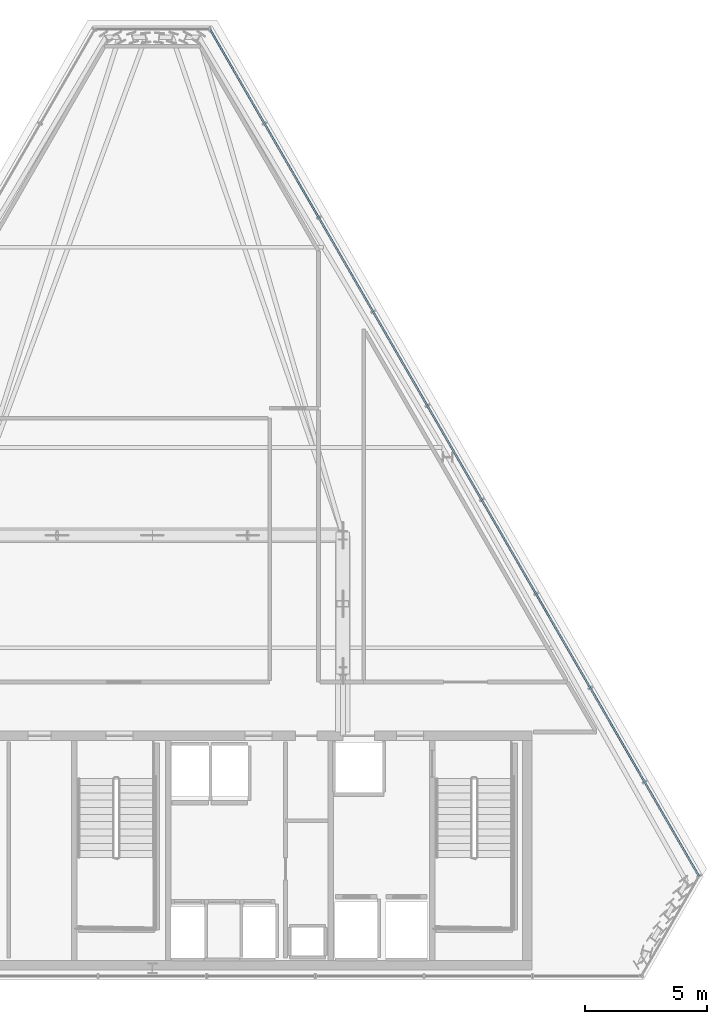
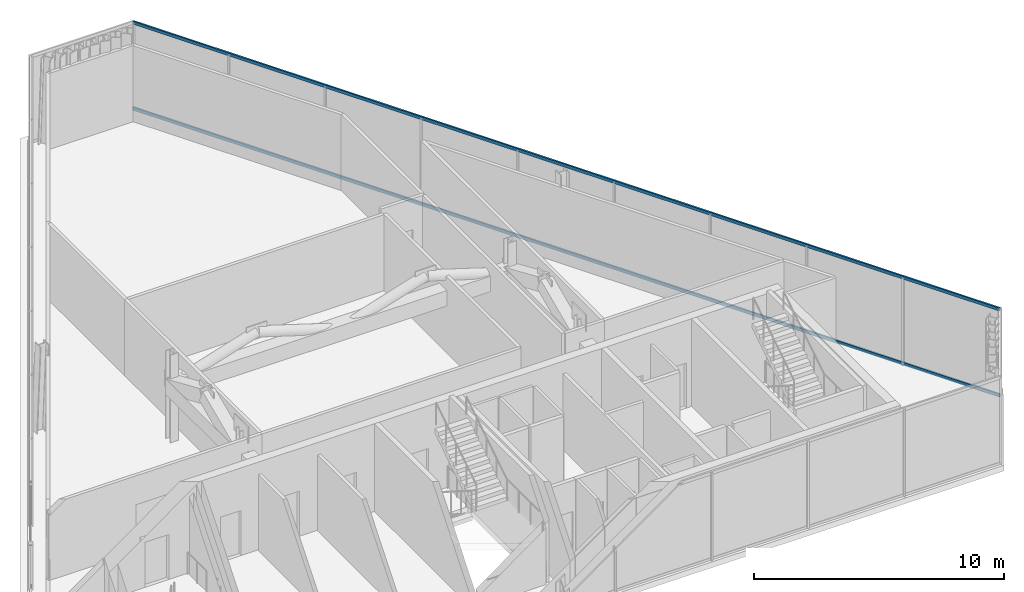
# One storey, part 24 of 32: 2 members, 1 element without a shape of its own.
"""IFC4 building model written with IfcOpenShell, lengths in metres."""

from ifc_helpers import new_model, si_unit, direction, frame, origin, origin_2d, place, context, subcontext, project, spatial, hollow_rectangle, extrude, material, layer, layer_set, material_profile, profile_set, type_object, element, aggregate, save


model = new_model("IFC4")

# Units and contexts
model_context = context("Model", 3, precision=1e-05, world=origin(), true_north=direction((0.0, 1.0)))
body_context = subcontext(model_context, "Body", "Model", "MODEL_VIEW")
ifc_project = project(units=[si_unit("LENGTHUNIT", "METRE"), si_unit("AREAUNIT", "SQUARE_METRE"), si_unit("VOLUMEUNIT", "CUBIC_METRE"), si_unit("PLANEANGLEUNIT", "RADIAN"), si_unit("MASSUNIT", "GRAM", prefix="KILO")], contexts=[model_context])

# Site, building, storey
site_placement = place(None, origin())
site = spatial("IfcSite", under=ifc_project, at=site_placement, CompositionType="ELEMENT")
building_placement = place(site_placement, origin())
building = spatial("IfcBuilding", under=site, at=building_placement, Name="Ndaravel Arena Tower", CompositionType="ELEMENT")
storey_placement = place(building_placement, frame((0.0, 0.0, 278.800048828125)))
storey = spatial("IfcBuildingStorey", under=building, at=storey_placement, Name="L68", CompositionType="ELEMENT", Elevation=278.800048828125)

# Curtain wall, members
ifc_material_1 = material(Name="Aluminium", Category="aluminium")
ifc_layer = layer(ifc_material_1, 0.179931640625)
ifc_layer_set = layer_set([ifc_layer], Name="Aluminium")
curtain_wall_type = type_object("IfcCurtainWallType", Name="CW-SYS-03", PredefinedType="NOTDEFINED", material=ifc_layer_set)
curtain_wall_placement = place(storey_placement, origin())
curtain_wall = element("IfcCurtainWall", 1, at=curtain_wall_placement, inside=storey, type_object=curtain_wall_type, Name="L68 Faceted Crystal Curtain Wall CW-L68-E03", PredefinedType="NOTDEFINED")
ifc_material_2 = material(Name="Aluminium", Category="aluminium")
ifc_material_profile = material_profile(ifc_material_2, hollow_rectangle(XDim=0.074951171875, YDim=0.14990234375, WallThickness=0.00390625, at=origin_2d()), Name="CW TRANSOM 75x150x4")
ifc_profile_set = profile_set([ifc_material_profile], Name="Aluminium")
member_type = type_object("IfcMemberType", Name="MEM-CW-TRN150", PredefinedType="USERDEFINED", material=ifc_profile_set)
member_1_placement = place(storey_placement, frame((64.373779296875, 9.251708984375, 0.0400390625), z_axis=(-0.500002663964, 0.866023865739, 0.0), x_axis=(-0.866023865739, -0.500002663964, 0.0)))
member_1 = element("IfcMember", 2, at=member_1_placement, type_object=member_type, Name="CW-L68-E03 Transom 01", ObjectType="TRANSOM", PredefinedType="USERDEFINED", context=body_context, shape_type="SweptSolid", body=[
    extrude(hollow_rectangle(XDim=0.074951171875, YDim=0.14990234375, WallThickness=0.00390625, at=origin_2d()), origin(), (0.0, 0.0, 1.0), 40.022705078125),
])
member_2_placement = place(storey_placement, frame((64.373779296875, 9.251708984375, 4.239990234375), z_axis=(-0.500002663964, 0.866023865739, 0.0), x_axis=(-0.866023865739, -0.500002663964, 0.0)))
member_2 = element("IfcMember", 3, at=member_2_placement, type_object=member_type, Name="CW-L68-E03 Transom 02", ObjectType="TRANSOM", PredefinedType="USERDEFINED", context=body_context, shape_type="SweptSolid", body=[
    extrude(hollow_rectangle(XDim=0.074951171875, YDim=0.14990234375, WallThickness=0.00390625, at=origin_2d()), origin(), (0.0, 0.0, 1.0), 40.022705078125),
])
aggregate(curtain_wall, [member_1, member_2])

save(model, "model.ifc")
